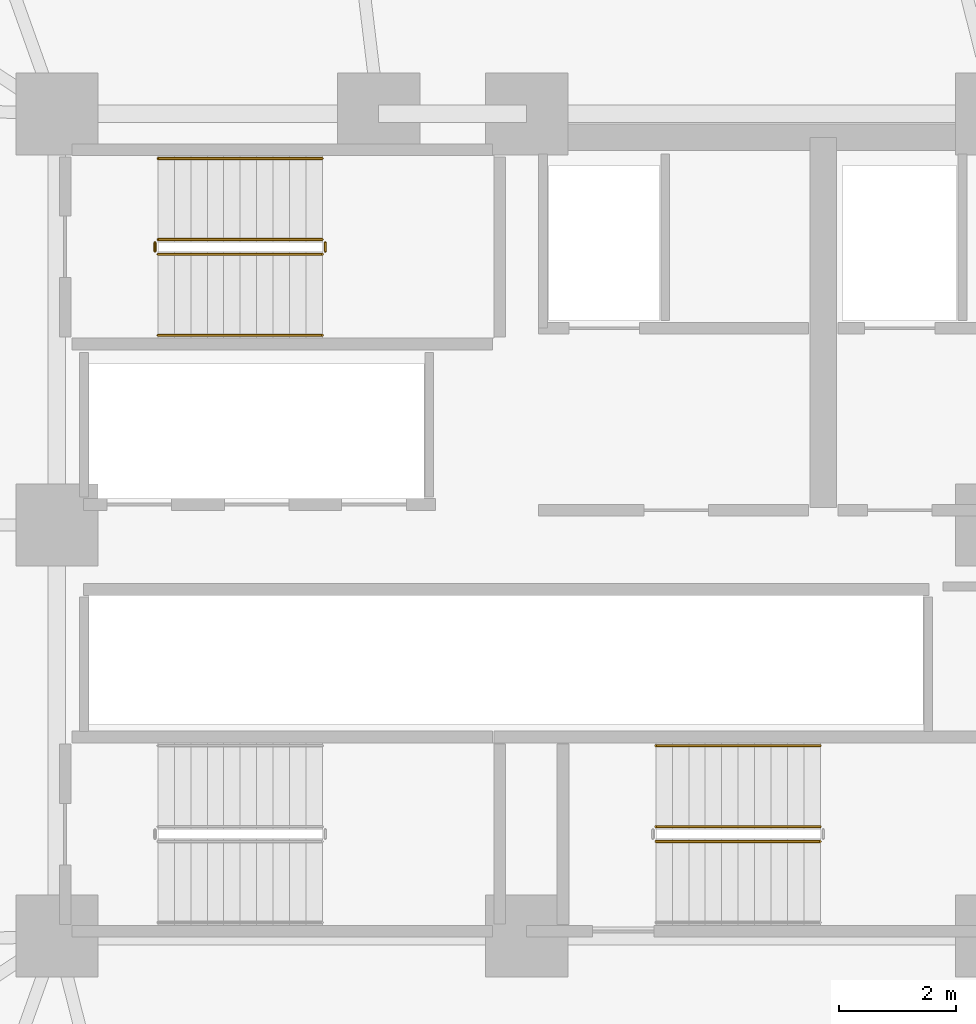
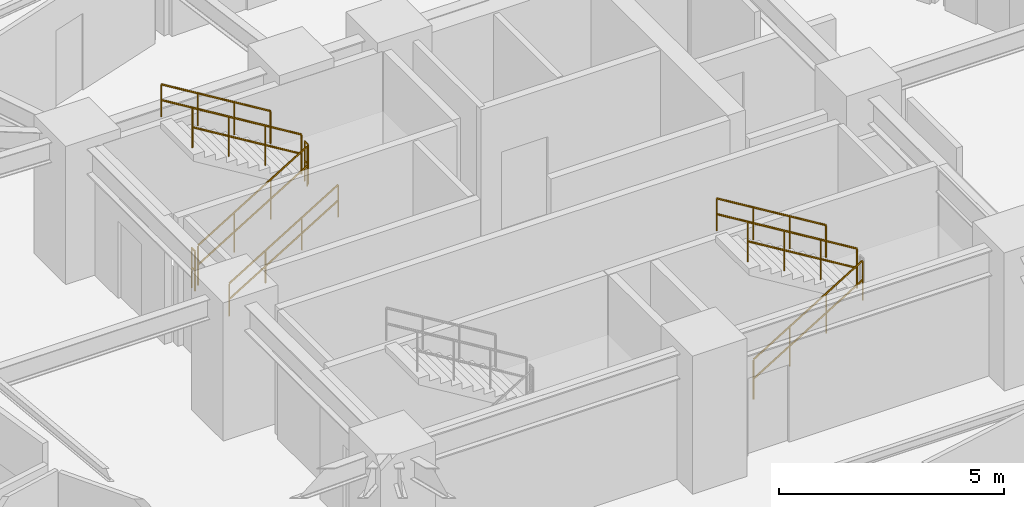
# One storey, part 33 of 35: 9 railings.
"""IFC4 building model written with IfcOpenShell, lengths in metres."""

import ifcopenshell
import ifcopenshell.guid

model = None  # the IFC model being written
_history = None  # IfcOwnerHistory: only IFC2X3 demands one
_inside = {}  # id of a spatial element -> (the spatial element, [elements in it])
_under = {}  # id of a project, library or spatial element -> (it, [spatial elements below it])
_declared = {}  # id of a project -> (the project, [libraries it declares])
_typed = {}  # id of a type object -> (the type object, [elements of that type])
_made_of = {}  # id of a material, layer set ... -> (it, [elements and type objects made of it])


def new_model(schema):
    """Start an empty IFC model of exactly this schema.

    Asked for "IFC4X3", IfcOpenShell would pick the latest addendum, in which some entities
    have other attributes; the version numbers below select the first issue.
    IFC2X3 requires an IfcOwnerHistory on every rooted entity: one is made here for all.
    """
    global model, _history
    if schema == "IFC4X3":
        model = ifcopenshell.file(schema_version=(4, 3, 0, 0))
    else:
        model = ifcopenshell.file(schema=schema)
    _inside.clear()
    _under.clear()
    _declared.clear()
    _typed.clear()
    _made_of.clear()
    _history = None
    if model.schema == "IFC2X3":
        org = make("IfcOrganization", Name="unknown")
        user = make(
            "IfcPersonAndOrganization",
            ThePerson=make("IfcPerson", FamilyName="unknown"),
            TheOrganization=org,
        )
        app = make(
            "IfcApplication",
            ApplicationDeveloper=org,
            Version="unknown",
            ApplicationFullName="unknown",
            ApplicationIdentifier="unknown",
        )
        _history = make(
            "IfcOwnerHistory",
            OwningUser=user,
            OwningApplication=app,
            ChangeAction="ADDED",
            CreationDate=0,
        )
    return model


def make(cls, **values):
    """One entity of the class cls with the attributes given. An attribute that is None is left unset."""
    return model.create_entity(
        cls, **{name: value for name, value in values.items() if value is not None}
    )


def rooted(cls, **values):
    """An entity with a GlobalId (a new one), such as an element, a storey or a relation."""
    return make(cls, GlobalId=ifcopenshell.guid.new(), OwnerHistory=_history, **values)


def si_unit(unit_type, name, prefix=None):
    """IfcSIUnit, for example si_unit("LENGTHUNIT", "METRE", prefix="MILLI")."""
    return make("IfcSIUnit", UnitType=unit_type, Prefix=prefix, Name=name)


def assignment(units):
    """IfcUnitAssignment: the units of a project."""
    return None if units is None else make("IfcUnitAssignment", Units=units)


def point(xyz):
    """IfcCartesianPoint."""
    return None if xyz is None else make("IfcCartesianPoint", Coordinates=xyz)


def direction(xyz):
    """IfcDirection."""
    return None if xyz is None else make("IfcDirection", DirectionRatios=xyz)


def frame(location, z_axis=None, x_axis=None):
    """IfcAxis2Placement3D, a coordinate frame: its origin and axes. An axis left out is left unset."""
    return make(
        "IfcAxis2Placement3D",
        Location=point(location),
        Axis=direction(z_axis),
        RefDirection=direction(x_axis),
    )


def origin():
    """The frame at (0, 0, 0) with its axes left unset."""
    return frame((0.0, 0.0, 0.0))


def place(relative_to, where):
    """IfcLocalPlacement: puts the frame where relative to a parent placement (None: the world)."""
    return make(
        "IfcLocalPlacement", PlacementRelTo=relative_to, RelativePlacement=where
    )


def context(
    kind, dimensions, precision=None, world=None, true_north=None, identifier=None
):
    """IfcGeometricRepresentationContext, for example the 3D "Model" context."""
    return make(
        "IfcGeometricRepresentationContext",
        ContextIdentifier=identifier,
        ContextType=kind,
        CoordinateSpaceDimension=dimensions,
        Precision=precision,
        WorldCoordinateSystem=world,
        TrueNorth=true_north,
    )


def subcontext(parent, identifier, kind, view, scale=None):
    """IfcGeometricRepresentationSubContext, for example "Body" below "Model"."""
    return make(
        "IfcGeometricRepresentationSubContext",
        ContextIdentifier=identifier,
        ContextType=kind,
        ParentContext=parent,
        TargetScale=scale,
        TargetView=view,
    )


def project(units=None, contexts=None):
    """IfcProject with its units and contexts."""
    return rooted(
        "IfcProject",
        Name="project",
        RepresentationContexts=contexts,
        UnitsInContext=assignment(units),
    )


def spatial(cls, under=None, at=None, **own):
    """A site, building, storey or space (cls), placed at a placement, below another one or the project."""
    s = rooted(cls, ObjectPlacement=at, **own)
    if under is not None:
        _under.setdefault(under.id(), (under, []))[1].append(s)
    return s


def polyline(points):
    """IfcPolyline through the points."""
    return make("IfcPolyline", Points=[point(p) for p in points])


def outline(outer, holes=None, kind="AREA"):
    """IfcArbitraryClosedProfileDef: a profile drawn as a closed curve; with holes, ...WithVoids."""
    if holes is None:
        return make("IfcArbitraryClosedProfileDef", ProfileType=kind, OuterCurve=outer)
    return make(
        "IfcArbitraryProfileDefWithVoids",
        ProfileType=kind,
        OuterCurve=outer,
        InnerCurves=holes,
    )


def extrude(swept, where, along, depth):
    """IfcExtrudedAreaSolid: the profile swept, set in the frame where, extruded along a direction by depth."""
    return make(
        "IfcExtrudedAreaSolid",
        SweptArea=swept,
        Position=where,
        ExtrudedDirection=direction(along),
        Depth=depth,
    )


def shape(context_of_items, identifier, shape_type, items):
    """IfcShapeRepresentation: the items that make up one representation, for example the "Body"."""
    return make(
        "IfcShapeRepresentation",
        ContextOfItems=context_of_items,
        RepresentationIdentifier=identifier,
        RepresentationType=shape_type,
        Items=items,
    )


def material(Name=None, Category=None):
    """IfcMaterial."""
    return make("IfcMaterial", Name=Name, Category=Category)


def made_of(thing, what):
    """Note that an element or type object is made of a material, layer set ...; save() writes the relation."""
    if what is not None:
        _made_of.setdefault(what.id(), (what, []))[1].append(thing)
    return thing


def type_object(cls, material=None, **own):
    """A type object (cls), such as IfcWallType, which elements share."""
    return made_of(rooted(cls, **own), material)


def element(
    cls,
    number,
    at=None,
    inside=None,
    cuts=None,
    type_object=None,
    material=None,
    context=None,
    identifier="Body",
    shape_type=None,
    held_by="IfcProductDefinitionShape",
    body=None,
    shapes=None,
    **own,
):
    """One element of the class cls, such as IfcWall. Its Tag is "e" and its number.

    at: its placement. inside: the storey or other place that contains it. cuts: it is an
    opening in that element (IfcRelVoidsElement). A single representation is given by context,
    identifier, shape_type and body (its items); several are given by shapes. held_by: the class
    of the entity that holds the representations. save() writes the other relations.
    """
    e = rooted(cls, Tag="e%d" % number, ObjectPlacement=at, **own)
    if body is not None:
        shapes = [shape(context, identifier, shape_type, body)]
    if shapes is not None:
        e.Representation = make(held_by, Representations=shapes)
    if inside is not None:
        _inside.setdefault(inside.id(), (inside, []))[1].append(e)
    if cuts is not None:
        rooted(
            "IfcRelVoidsElement", RelatingBuildingElement=cuts, RelatedOpeningElement=e
        )
    if type_object is not None:
        _typed.setdefault(type_object.id(), (type_object, []))[1].append(e)
    return made_of(e, material)


def aggregate(whole, parts):
    """IfcRelAggregates: a whole, such as a stair, and the parts it consists of."""
    return rooted("IfcRelAggregates", RelatingObject=whole, RelatedObjects=parts)


def save(model, path):
    """Write the relations noted so far, then the file.

    IfcRelAggregates (storeys below a building ...), IfcRelContainedInSpatialStructure (elements
    in a storey), IfcRelDefinesByType, IfcRelAssociatesMaterial and IfcRelDeclares: one each for
    every whole, place, type object, material and project.
    """
    for whole, parts in _under.values():
        aggregate(whole, parts)
    for where, things in _inside.values():
        rooted(
            "IfcRelContainedInSpatialStructure",
            RelatedElements=things,
            RelatingStructure=where,
        )
    for kind, things in _typed.values():
        rooted("IfcRelDefinesByType", RelatedObjects=things, RelatingType=kind)
    for what, things in _made_of.values():
        rooted("IfcRelAssociatesMaterial", RelatedObjects=things, RelatingMaterial=what)
    for by, libraries in _declared.values():
        rooted("IfcRelDeclares", RelatingContext=by, RelatedDefinitions=libraries)
    model.write(path)


model = new_model("IFC4")

# Units and contexts
model_context = context("Model", 3, precision=1e-05, world=origin(), true_north=direction((0.0, 1.0)))
body_context = subcontext(model_context, "Body", "Model", "MODEL_VIEW")
ifc_project = project(units=[si_unit("LENGTHUNIT", "METRE"), si_unit("AREAUNIT", "SQUARE_METRE"), si_unit("VOLUMEUNIT", "CUBIC_METRE"), si_unit("PLANEANGLEUNIT", "RADIAN"), si_unit("MASSUNIT", "GRAM", prefix="KILO")], contexts=[model_context])

# Site, building, storey
site_placement = place(None, origin())
site = spatial("IfcSite", under=ifc_project, at=site_placement, CompositionType="ELEMENT")
building_placement = place(site_placement, origin())
building = spatial("IfcBuilding", under=site, at=building_placement, Name="Kelanora Arch Commons", CompositionType="ELEMENT")
storey_placement = place(building_placement, frame((0.0, 0.0, 91.35009765625)))
storey = spatial("IfcBuildingStorey", under=building, at=storey_placement, Name="L23", CompositionType="ELEMENT", Elevation=91.35009765625)

# Railings
ifc_material_1 = material(Name="Painted steel stair well guard", Category="steel")
railing_type_1 = type_object("IfcRailingType", Name="RAIL-STAIR-GRD", PredefinedType="GUARDRAIL", material=ifc_material_1)
railing_1_placement = place(storey_placement, frame((67.719970703125, 62.610107421875, 0.17041015625)))
element("IfcRailing", 1, at=railing_1_placement, inside=storey, type_object=railing_type_1, Name="L23 ST-T1 stair guard 1", PredefinedType="GUARDRAIL", context=body_context, shape_type="SweptSolid", body=[
    extrude(outline(polyline([(0.02392578125, 0.0), (0.011962890625, 0.020751953125), (-0.011962890625, 0.020751953125), (-0.02392578125, 0.0), (-0.011962890625, -0.020751953125), (0.011962890625, -0.020751953125), (0.02392578125, 0.0)])), frame((0.0, 0.0, 1.076171875), z_axis=(0.854169791009, 0.0, 0.51999420009), x_axis=(0.0, 1.0, 0.0)), (0.0, 0.0, 1.0), 3.278076171875),
    extrude(outline(polyline([(0.02392578125, 0.0), (0.011962890625, 0.020751953125), (-0.011962890625, 0.020751953125), (-0.02392578125, 0.0), (-0.011962890625, -0.020751953125), (0.011962890625, -0.020751953125), (0.02392578125, 0.0)])), frame((0.0, 0.0, 0.550048828125), z_axis=(0.854169791009, 0.0, 0.51999420009), x_axis=(0.0, 1.0, 0.0)), (0.0, 0.0, 1.0), 3.278076171875),
    extrude(outline(polyline([(0.02099609375, 0.0), (0.010498046875, 0.01806640625), (-0.010498046875, 0.01806640625), (-0.02099609375, 0.0), (-0.010498046875, -0.01806640625), (0.010498046875, -0.01806640625), (0.02099609375, 0.0)])), origin(), (0.0, 0.0, 1.0), 1.052001953125),
    extrude(outline(polyline([(0.02099609375, 0.0), (0.010498046875, 0.01806640625), (-0.010498046875, 0.01806640625), (-0.02099609375, 0.0), (-0.010498046875, -0.01806640625), (0.010498046875, -0.01806640625), (0.02099609375, 0.0)])), frame((0.933349609375, 0.0, 0.568115234375)), (0.0, 0.0, 1.0), 1.052001953125),
    extrude(outline(polyline([(0.02099609375, 0.0), (0.010498046875, 0.01806640625), (-0.010498046875, 0.01806640625), (-0.02099609375, 0.0), (-0.010498046875, -0.01806640625), (0.010498046875, -0.01806640625), (0.02099609375, 0.0)])), frame((1.86669921875, 0.0, 1.136474609375)), (0.0, 0.0, 1.0), 1.052001953125),
    extrude(outline(polyline([(0.02099609375, 0.0), (0.010498046875, 0.01806640625), (-0.010498046875, 0.01806640625), (-0.02099609375, 0.0), (-0.010498046875, -0.01806640625), (0.010498046875, -0.01806640625), (0.02099609375, 0.0)])), frame((2.800048828125, 0.0, 1.70458984375)), (0.0, 0.0, 1.0), 1.052001953125),
])
railing_2_placement = place(storey_placement, frame((70.570068359375, 62.659912109375, 1.875)))
element("IfcRailing", 2, at=railing_2_placement, inside=storey, type_object=railing_type_1, Name="L23 ST-T1 stair guard 2", PredefinedType="GUARDRAIL", context=body_context, shape_type="SweptSolid", body=[
    extrude(outline(polyline([(0.02392578125, 0.0), (0.011962890625, 0.020751953125), (-0.011962890625, 0.020751953125), (-0.02392578125, 0.0), (-0.011962890625, -0.020751953125), (0.011962890625, -0.020751953125), (0.02392578125, 0.0)])), frame((0.0, 0.0, 1.076171875), z_axis=(0.0, 1.0, 0.0), x_axis=(-1.0, 0.0, 0.0)), (0.0, 0.0, 1.0), 0.150146484375),
    extrude(outline(polyline([(0.02392578125, 0.0), (0.011962890625, 0.020751953125), (-0.011962890625, 0.020751953125), (-0.02392578125, 0.0), (-0.011962890625, -0.020751953125), (0.011962890625, -0.020751953125), (0.02392578125, 0.0)])), frame((0.0, 0.0, 0.550048828125), z_axis=(0.0, 1.0, 0.0), x_axis=(-1.0, 0.0, 0.0)), (0.0, 0.0, 1.0), 0.150146484375),
    extrude(outline(polyline([(0.02099609375, 0.0), (0.010498046875, 0.01806640625), (-0.010498046875, 0.01806640625), (-0.02099609375, 0.0), (-0.010498046875, -0.01806640625), (0.010498046875, -0.01806640625), (0.02099609375, 0.0)])), origin(), (0.0, 0.0, 1.0), 1.052001953125),
    extrude(outline(polyline([(0.02099609375, 0.0), (0.010498046875, 0.01806640625), (-0.010498046875, 0.01806640625), (-0.02099609375, 0.0), (-0.010498046875, -0.01806640625), (0.010498046875, -0.01806640625), (0.02099609375, 0.0)])), frame((0.0, 0.150146484375, 0.0)), (0.0, 0.0, 1.0), 1.052001953125),
])
railing_3_placement = place(storey_placement, frame((70.52001953125, 62.860107421875, 2.04541015625)))
element("IfcRailing", 3, at=railing_3_placement, inside=storey, type_object=railing_type_1, Name="L23 ST-T1 stair guard 3", PredefinedType="GUARDRAIL", context=body_context, shape_type="SweptSolid", body=[
    extrude(outline(polyline([(0.02392578125, 0.0), (0.011962890625, 0.020751953125), (-0.011962890625, 0.020751953125), (-0.02392578125, 0.0), (-0.011962890625, -0.020751953125), (0.011962890625, -0.020751953125), (0.02392578125, 0.0)])), frame((0.0, 0.0, 1.076171875), z_axis=(-0.854169791009, 0.0, 0.51999420009), x_axis=(0.0, -1.0, 0.0)), (0.0, 0.0, 1.0), 3.278076171875),
    extrude(outline(polyline([(0.02392578125, 0.0), (0.011962890625, 0.020751953125), (-0.011962890625, 0.020751953125), (-0.02392578125, 0.0), (-0.011962890625, -0.020751953125), (0.011962890625, -0.020751953125), (0.02392578125, 0.0)])), frame((0.0, 0.0, 0.550048828125), z_axis=(-0.854169791009, 0.0, 0.51999420009), x_axis=(0.0, -1.0, 0.0)), (0.0, 0.0, 1.0), 3.278076171875),
    extrude(outline(polyline([(0.02099609375, 0.0), (0.010498046875, 0.01806640625), (-0.010498046875, 0.01806640625), (-0.02099609375, 0.0), (-0.010498046875, -0.01806640625), (0.010498046875, -0.01806640625), (0.02099609375, 0.0)])), origin(), (0.0, 0.0, 1.0), 1.052001953125),
    extrude(outline(polyline([(0.02099609375, 0.0), (0.010498046875, 0.01806640625), (-0.010498046875, 0.01806640625), (-0.02099609375, 0.0), (-0.010498046875, -0.01806640625), (0.010498046875, -0.01806640625), (0.02099609375, 0.0)])), frame((-0.933349609375, 0.0, 0.568115234375)), (0.0, 0.0, 1.0), 1.052001953125),
    extrude(outline(polyline([(0.02099609375, 0.0), (0.010498046875, 0.01806640625), (-0.010498046875, 0.01806640625), (-0.02099609375, 0.0), (-0.010498046875, -0.01806640625), (0.010498046875, -0.01806640625), (0.02099609375, 0.0)])), frame((-1.86669921875, 0.0, 1.136474609375)), (0.0, 0.0, 1.0), 1.052001953125),
    extrude(outline(polyline([(0.02099609375, 0.0), (0.010498046875, 0.01806640625), (-0.010498046875, 0.01806640625), (-0.02099609375, 0.0), (-0.010498046875, -0.01806640625), (0.010498046875, -0.01806640625), (0.02099609375, 0.0)])), frame((-2.800048828125, 0.0, 1.70458984375)), (0.0, 0.0, 1.0), 1.052001953125),
])
railing_4_placement = place(storey_placement, frame((67.669921875, 62.659912109375, 0.0)))
element("IfcRailing", 4, at=railing_4_placement, inside=storey, type_object=railing_type_1, Name="L23 ST-T1 stair guard 4", PredefinedType="GUARDRAIL", context=body_context, shape_type="SweptSolid", body=[
    extrude(outline(polyline([(0.02392578125, 0.0), (0.011962890625, 0.020751953125), (-0.011962890625, 0.020751953125), (-0.02392578125, 0.0), (-0.011962890625, -0.020751953125), (0.011962890625, -0.020751953125), (0.02392578125, 0.0)])), frame((0.0, 0.0, 1.076171875), z_axis=(0.0, 1.0, 0.0), x_axis=(-1.0, 0.0, 0.0)), (0.0, 0.0, 1.0), 0.150146484375),
    extrude(outline(polyline([(0.02392578125, 0.0), (0.011962890625, 0.020751953125), (-0.011962890625, 0.020751953125), (-0.02392578125, 0.0), (-0.011962890625, -0.020751953125), (0.011962890625, -0.020751953125), (0.02392578125, 0.0)])), frame((0.0, 0.0, 0.550048828125), z_axis=(0.0, 1.0, 0.0), x_axis=(-1.0, 0.0, 0.0)), (0.0, 0.0, 1.0), 0.150146484375),
    extrude(outline(polyline([(0.02099609375, 0.0), (0.010498046875, 0.01806640625), (-0.010498046875, 0.01806640625), (-0.02099609375, 0.0), (-0.010498046875, -0.01806640625), (0.010498046875, -0.01806640625), (0.02099609375, 0.0)])), origin(), (0.0, 0.0, 1.0), 1.052001953125),
    extrude(outline(polyline([(0.02099609375, 0.0), (0.010498046875, 0.01806640625), (-0.010498046875, 0.01806640625), (-0.02099609375, 0.0), (-0.010498046875, -0.01806640625), (0.010498046875, -0.01806640625), (0.02099609375, 0.0)])), frame((0.0, 0.150146484375, 0.0)), (0.0, 0.0, 1.0), 1.052001953125),
])
railing_5_placement = place(storey_placement, frame((76.199951171875, 52.610107421875, 0.17041015625)))
element("IfcRailing", 5, at=railing_5_placement, inside=storey, type_object=railing_type_1, Name="L23 ST-T2 stair guard 1", PredefinedType="GUARDRAIL", context=body_context, shape_type="SweptSolid", body=[
    extrude(outline(polyline([(0.02392578125, 0.0), (0.011962890625, 0.020751953125), (-0.011962890625, 0.020751953125), (-0.02392578125, 0.0), (-0.011962890625, -0.020751953125), (0.011962890625, -0.020751953125), (0.02392578125, 0.0)])), frame((0.0, 0.0, 1.076171875), z_axis=(0.854169791009, 0.0, 0.51999420009), x_axis=(0.0, 1.0, 0.0)), (0.0, 0.0, 1.0), 3.278076171875),
    extrude(outline(polyline([(0.02392578125, 0.0), (0.011962890625, 0.020751953125), (-0.011962890625, 0.020751953125), (-0.02392578125, 0.0), (-0.011962890625, -0.020751953125), (0.011962890625, -0.020751953125), (0.02392578125, 0.0)])), frame((0.0, 0.0, 0.550048828125), z_axis=(0.854169791009, 0.0, 0.51999420009), x_axis=(0.0, 1.0, 0.0)), (0.0, 0.0, 1.0), 3.278076171875),
    extrude(outline(polyline([(0.02099609375, 0.0), (0.010498046875, 0.01806640625), (-0.010498046875, 0.01806640625), (-0.02099609375, 0.0), (-0.010498046875, -0.01806640625), (0.010498046875, -0.01806640625), (0.02099609375, 0.0)])), origin(), (0.0, 0.0, 1.0), 1.052001953125),
    extrude(outline(polyline([(0.02099609375, 0.0), (0.010498046875, 0.01806640625), (-0.010498046875, 0.01806640625), (-0.02099609375, 0.0), (-0.010498046875, -0.01806640625), (0.010498046875, -0.01806640625), (0.02099609375, 0.0)])), frame((0.933349609375, 0.0, 0.568115234375)), (0.0, 0.0, 1.0), 1.052001953125),
    extrude(outline(polyline([(0.02099609375, 0.0), (0.010498046875, 0.01806640625), (-0.010498046875, 0.01806640625), (-0.02099609375, 0.0), (-0.010498046875, -0.01806640625), (0.010498046875, -0.01806640625), (0.02099609375, 0.0)])), frame((1.86669921875, 0.0, 1.136474609375)), (0.0, 0.0, 1.0), 1.052001953125),
    extrude(outline(polyline([(0.02099609375, 0.0), (0.010498046875, 0.01806640625), (-0.010498046875, 0.01806640625), (-0.02099609375, 0.0), (-0.010498046875, -0.01806640625), (0.010498046875, -0.01806640625), (0.02099609375, 0.0)])), frame((2.800048828125, 0.0, 1.70458984375)), (0.0, 0.0, 1.0), 1.052001953125),
])
railing_6_placement = place(storey_placement, frame((79.0, 52.860107421875, 2.04541015625)))
element("IfcRailing", 6, at=railing_6_placement, inside=storey, type_object=railing_type_1, Name="L23 ST-T2 stair guard 3", PredefinedType="GUARDRAIL", context=body_context, shape_type="SweptSolid", body=[
    extrude(outline(polyline([(0.02392578125, 0.0), (0.011962890625, 0.020751953125), (-0.011962890625, 0.020751953125), (-0.02392578125, 0.0), (-0.011962890625, -0.020751953125), (0.011962890625, -0.020751953125), (0.02392578125, 0.0)])), frame((0.0, 0.0, 1.076171875), z_axis=(-0.854169791009, 0.0, 0.51999420009), x_axis=(0.0, -1.0, 0.0)), (0.0, 0.0, 1.0), 3.278076171875),
    extrude(outline(polyline([(0.02392578125, 0.0), (0.011962890625, 0.020751953125), (-0.011962890625, 0.020751953125), (-0.02392578125, 0.0), (-0.011962890625, -0.020751953125), (0.011962890625, -0.020751953125), (0.02392578125, 0.0)])), frame((0.0, 0.0, 0.550048828125), z_axis=(-0.854169791009, 0.0, 0.51999420009), x_axis=(0.0, -1.0, 0.0)), (0.0, 0.0, 1.0), 3.278076171875),
    extrude(outline(polyline([(0.02099609375, 0.0), (0.010498046875, 0.01806640625), (-0.010498046875, 0.01806640625), (-0.02099609375, 0.0), (-0.010498046875, -0.01806640625), (0.010498046875, -0.01806640625), (0.02099609375, 0.0)])), origin(), (0.0, 0.0, 1.0), 1.052001953125),
    extrude(outline(polyline([(0.02099609375, 0.0), (0.010498046875, 0.01806640625), (-0.010498046875, 0.01806640625), (-0.02099609375, 0.0), (-0.010498046875, -0.01806640625), (0.010498046875, -0.01806640625), (0.02099609375, 0.0)])), frame((-0.933349609375, 0.0, 0.568115234375)), (0.0, 0.0, 1.0), 1.052001953125),
    extrude(outline(polyline([(0.02099609375, 0.0), (0.010498046875, 0.01806640625), (-0.010498046875, 0.01806640625), (-0.02099609375, 0.0), (-0.010498046875, -0.01806640625), (0.010498046875, -0.01806640625), (0.02099609375, 0.0)])), frame((-1.86669921875, 0.0, 1.136474609375)), (0.0, 0.0, 1.0), 1.052001953125),
    extrude(outline(polyline([(0.02099609375, 0.0), (0.010498046875, 0.01806640625), (-0.010498046875, 0.01806640625), (-0.02099609375, 0.0), (-0.010498046875, -0.01806640625), (0.010498046875, -0.01806640625), (0.02099609375, 0.0)])), frame((-2.800048828125, 0.0, 1.70458984375)), (0.0, 0.0, 1.0), 1.052001953125),
])
ifc_material_2 = material(Name="Brushed stainless steel stair handrail", Category="steel")
railing_type_2 = type_object("IfcRailingType", Name="RAIL-STAIR-HND", PredefinedType="HANDRAIL", material=ifc_material_2)
railing_7_placement = place(storey_placement, frame((67.719970703125, 61.22998046875, 0.17041015625)))
element("IfcRailing", 7, at=railing_7_placement, inside=storey, type_object=railing_type_2, Name="L23 ST-T1 stair handrail 1", PredefinedType="HANDRAIL", context=body_context, shape_type="SweptSolid", body=[
    extrude(outline(polyline([(0.02392578125, 0.0), (0.011962890625, 0.020751953125), (-0.011962890625, 0.020751953125), (-0.02392578125, 0.0), (-0.011962890625, -0.020751953125), (0.011962890625, -0.020751953125), (0.02392578125, 0.0)])), frame((0.0, 0.0, 0.8759765625), z_axis=(0.854169791009, 0.0, 0.51999420009), x_axis=(0.0, 1.0, 0.0)), (0.0, 0.0, 1.0), 3.278076171875),
    extrude(outline(polyline([(0.02392578125, 0.0), (0.011962890625, 0.020751953125), (-0.011962890625, 0.020751953125), (-0.02392578125, 0.0), (-0.011962890625, -0.020751953125), (0.011962890625, -0.020751953125), (0.02392578125, 0.0)])), frame((0.0, 0.0, 0.449951171875), z_axis=(0.854169791009, 0.0, 0.51999420009), x_axis=(0.0, 1.0, 0.0)), (0.0, 0.0, 1.0), 3.278076171875),
    extrude(outline(polyline([(0.02099609375, 0.0), (0.010498046875, 0.01806640625), (-0.010498046875, 0.01806640625), (-0.02099609375, 0.0), (-0.010498046875, -0.01806640625), (0.010498046875, -0.01806640625), (0.02099609375, 0.0)])), origin(), (0.0, 0.0, 1.0), 0.851806640625),
    extrude(outline(polyline([(0.02099609375, 0.0), (0.010498046875, 0.01806640625), (-0.010498046875, 0.01806640625), (-0.02099609375, 0.0), (-0.010498046875, -0.01806640625), (0.010498046875, -0.01806640625), (0.02099609375, 0.0)])), frame((0.933349609375, 0.0, 0.568115234375)), (0.0, 0.0, 1.0), 0.851806640625),
    extrude(outline(polyline([(0.02099609375, 0.0), (0.010498046875, 0.01806640625), (-0.010498046875, 0.01806640625), (-0.02099609375, 0.0), (-0.010498046875, -0.01806640625), (0.010498046875, -0.01806640625), (0.02099609375, 0.0)])), frame((1.86669921875, 0.0, 1.136474609375)), (0.0, 0.0, 1.0), 0.851806640625),
    extrude(outline(polyline([(0.02099609375, 0.0), (0.010498046875, 0.01806640625), (-0.010498046875, 0.01806640625), (-0.02099609375, 0.0), (-0.010498046875, -0.01806640625), (0.010498046875, -0.01806640625), (0.02099609375, 0.0)])), frame((2.800048828125, 0.0, 1.70458984375)), (0.0, 0.0, 1.0), 0.851806640625),
])
railing_8_placement = place(storey_placement, frame((70.52001953125, 64.239990234375, 2.04541015625)))
element("IfcRailing", 8, at=railing_8_placement, inside=storey, type_object=railing_type_2, Name="L23 ST-T1 stair handrail 2", PredefinedType="HANDRAIL", context=body_context, shape_type="SweptSolid", body=[
    extrude(outline(polyline([(0.02392578125, 0.0), (0.011962890625, 0.020751953125), (-0.011962890625, 0.020751953125), (-0.02392578125, 0.0), (-0.011962890625, -0.020751953125), (0.011962890625, -0.020751953125), (0.02392578125, 0.0)])), frame((0.0, 0.0, 0.8759765625), z_axis=(-0.854169791009, 0.0, 0.51999420009), x_axis=(0.0, -1.0, 0.0)), (0.0, 0.0, 1.0), 3.278076171875),
    extrude(outline(polyline([(0.02392578125, 0.0), (0.011962890625, 0.020751953125), (-0.011962890625, 0.020751953125), (-0.02392578125, 0.0), (-0.011962890625, -0.020751953125), (0.011962890625, -0.020751953125), (0.02392578125, 0.0)])), frame((0.0, 0.0, 0.449951171875), z_axis=(-0.854169791009, 0.0, 0.51999420009), x_axis=(0.0, -1.0, 0.0)), (0.0, 0.0, 1.0), 3.278076171875),
    extrude(outline(polyline([(0.02099609375, 0.0), (0.010498046875, 0.01806640625), (-0.010498046875, 0.01806640625), (-0.02099609375, 0.0), (-0.010498046875, -0.01806640625), (0.010498046875, -0.01806640625), (0.02099609375, 0.0)])), origin(), (0.0, 0.0, 1.0), 0.851806640625),
    extrude(outline(polyline([(0.02099609375, 0.0), (0.010498046875, 0.01806640625), (-0.010498046875, 0.01806640625), (-0.02099609375, 0.0), (-0.010498046875, -0.01806640625), (0.010498046875, -0.01806640625), (0.02099609375, 0.0)])), frame((-0.933349609375, 0.0, 0.568115234375)), (0.0, 0.0, 1.0), 0.851806640625),
    extrude(outline(polyline([(0.02099609375, 0.0), (0.010498046875, 0.01806640625), (-0.010498046875, 0.01806640625), (-0.02099609375, 0.0), (-0.010498046875, -0.01806640625), (0.010498046875, -0.01806640625), (0.02099609375, 0.0)])), frame((-1.86669921875, 0.0, 1.136474609375)), (0.0, 0.0, 1.0), 0.851806640625),
    extrude(outline(polyline([(0.02099609375, 0.0), (0.010498046875, 0.01806640625), (-0.010498046875, 0.01806640625), (-0.02099609375, 0.0), (-0.010498046875, -0.01806640625), (0.010498046875, -0.01806640625), (0.02099609375, 0.0)])), frame((-2.800048828125, 0.0, 1.70458984375)), (0.0, 0.0, 1.0), 0.851806640625),
])
railing_9_placement = place(storey_placement, frame((79.0, 54.239990234375, 2.04541015625)))
element("IfcRailing", 9, at=railing_9_placement, inside=storey, type_object=railing_type_2, Name="L23 ST-T2 stair handrail 2", PredefinedType="HANDRAIL", context=body_context, shape_type="SweptSolid", body=[
    extrude(outline(polyline([(0.02392578125, 0.0), (0.011962890625, 0.020751953125), (-0.011962890625, 0.020751953125), (-0.02392578125, 0.0), (-0.011962890625, -0.020751953125), (0.011962890625, -0.020751953125), (0.02392578125, 0.0)])), frame((0.0, 0.0, 0.8759765625), z_axis=(-0.854169791009, 0.0, 0.51999420009), x_axis=(0.0, -1.0, 0.0)), (0.0, 0.0, 1.0), 3.278076171875),
    extrude(outline(polyline([(0.02392578125, 0.0), (0.011962890625, 0.020751953125), (-0.011962890625, 0.020751953125), (-0.02392578125, 0.0), (-0.011962890625, -0.020751953125), (0.011962890625, -0.020751953125), (0.02392578125, 0.0)])), frame((0.0, 0.0, 0.449951171875), z_axis=(-0.854169791009, 0.0, 0.51999420009), x_axis=(0.0, -1.0, 0.0)), (0.0, 0.0, 1.0), 3.278076171875),
    extrude(outline(polyline([(0.02099609375, 0.0), (0.010498046875, 0.01806640625), (-0.010498046875, 0.01806640625), (-0.02099609375, 0.0), (-0.010498046875, -0.01806640625), (0.010498046875, -0.01806640625), (0.02099609375, 0.0)])), origin(), (0.0, 0.0, 1.0), 0.851806640625),
    extrude(outline(polyline([(0.02099609375, 0.0), (0.010498046875, 0.01806640625), (-0.010498046875, 0.01806640625), (-0.02099609375, 0.0), (-0.010498046875, -0.01806640625), (0.010498046875, -0.01806640625), (0.02099609375, 0.0)])), frame((-0.933349609375, 0.0, 0.568115234375)), (0.0, 0.0, 1.0), 0.851806640625),
    extrude(outline(polyline([(0.02099609375, 0.0), (0.010498046875, 0.01806640625), (-0.010498046875, 0.01806640625), (-0.02099609375, 0.0), (-0.010498046875, -0.01806640625), (0.010498046875, -0.01806640625), (0.02099609375, 0.0)])), frame((-1.86669921875, 0.0, 1.136474609375)), (0.0, 0.0, 1.0), 0.851806640625),
    extrude(outline(polyline([(0.02099609375, 0.0), (0.010498046875, 0.01806640625), (-0.010498046875, 0.01806640625), (-0.02099609375, 0.0), (-0.010498046875, -0.01806640625), (0.010498046875, -0.01806640625), (0.02099609375, 0.0)])), frame((-2.800048828125, 0.0, 1.70458984375)), (0.0, 0.0, 1.0), 0.851806640625),
])

save(model, "model.ifc")
